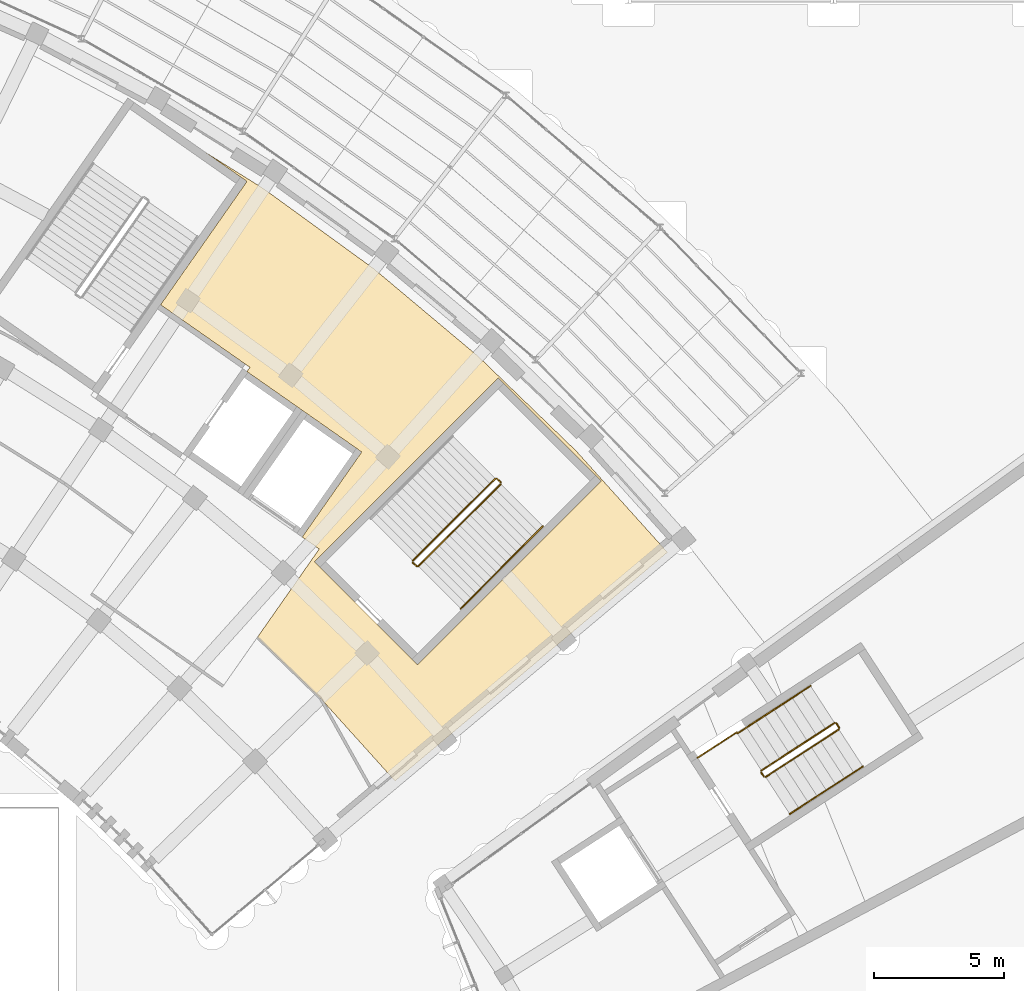
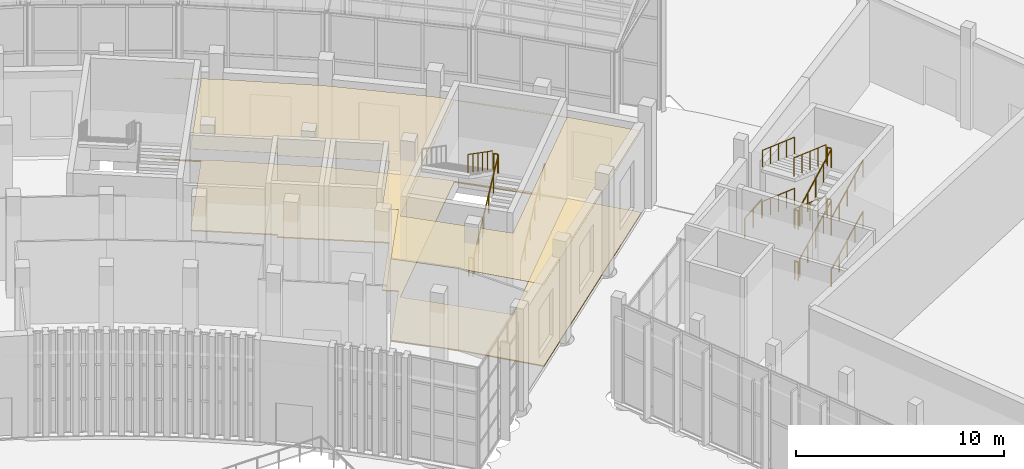
# One storey, part 145 of 155: 18 railings, 2 coverings.
"""IFC4 building model written with IfcOpenShell, lengths in metres."""

from ifc_helpers import new_model, si_unit, direction, frame, origin, origin_2d, place, context, subcontext, project, spatial, polyline, circle, outline, extrude, material, layer, layer_set, type_object, element, save


model = new_model("IFC4")

# Units and contexts
model_context = context("Model", 3, precision=1e-05, world=origin(), true_north=direction((0.0, 1.0)))
body_context = subcontext(model_context, "Body", "Model", "MODEL_VIEW")
ifc_project = project(units=[si_unit("LENGTHUNIT", "METRE"), si_unit("AREAUNIT", "SQUARE_METRE"), si_unit("VOLUMEUNIT", "CUBIC_METRE"), si_unit("PLANEANGLEUNIT", "RADIAN"), si_unit("MASSUNIT", "GRAM", prefix="KILO")], contexts=[model_context])

# Site, building, storey
site_placement = place(None, origin())
site = spatial("IfcSite", under=ifc_project, at=site_placement, CompositionType="ELEMENT")
building_placement = place(site_placement, origin())
building = spatial("IfcBuilding", under=site, at=building_placement, Name="Lunette Opera House", CompositionType="ELEMENT")
storey_placement = place(building_placement, origin())
storey = spatial("IfcBuildingStorey", under=building, at=storey_placement, Name="L00", CompositionType="ELEMENT", Elevation=0.0)

# Railings
ifc_material_1 = material(Name="Steel S355", Category="steel")
railing_type_1 = type_object("IfcRailingType", Name="STAIR GUARD 1100", PredefinedType="GUARDRAIL", material=ifc_material_1)
railing_1_placement = place(storey_placement, frame((157.38818359375, 39.686767578125, 0.166748046875)))
element("IfcRailing", 1, at=railing_1_placement, inside=storey, type_object=railing_type_1, Name="L00 ST21 stair guard 1", PredefinedType="GUARDRAIL", context=body_context, shape_type="SweptSolid", body=[
    extrude(circle(Radius=0.02392578125, at=origin_2d()), frame((0.0, 0.0, 1.076171875), z_axis=(0.779526313845, 0.506266613116, 0.368826303925), x_axis=(-0.544666507989, 0.838652726148, 0.0)), (0.0, 0.0, 1.0), 3.61474609375),
    extrude(circle(Radius=0.02099609375, at=origin_2d()), origin(), (0.0, 0.0, 1.0), 1.052001953125),
    extrude(circle(Radius=0.02099609375, at=origin_2d()), frame((0.70458984375, 0.45751953125, 0.333251953125)), (0.0, 0.0, 1.0), 1.052001953125),
    extrude(circle(Radius=0.02099609375, at=origin_2d()), frame((1.408935546875, 0.9150390625, 0.66650390625)), (0.0, 0.0, 1.0), 1.052001953125),
    extrude(circle(Radius=0.02099609375, at=origin_2d()), frame((2.11328125, 1.37255859375, 1.0)), (0.0, 0.0, 1.0), 1.052001953125),
    extrude(circle(Radius=0.02099609375, at=origin_2d()), frame((2.81787109375, 1.830078125, 1.333251953125)), (0.0, 0.0, 1.0), 1.052001953125),
])
railing_2_placement = place(storey_placement, frame((160.220703125, 41.5859375, 1.5)))
element("IfcRailing", 2, at=railing_2_placement, inside=storey, type_object=railing_type_1, Name="L00 ST21 stair guard 2", PredefinedType="GUARDRAIL", context=body_context, shape_type="SweptSolid", body=[
    extrude(circle(Radius=0.02392578125, at=origin_2d()), frame((0.0, 0.0, 1.076171875), z_axis=(-0.544260590101, 0.838916211587, 0.0), x_axis=(-0.838916211587, -0.544260590101, 0.0)), (0.0, 0.0, 1.0), 0.200439453125),
    extrude(circle(Radius=0.02099609375, at=origin_2d()), origin(), (0.0, 0.0, 1.0), 1.052001953125),
    extrude(circle(Radius=0.02099609375, at=origin_2d()), frame((-0.109130859375, 0.168212890625, 0.0)), (0.0, 0.0, 1.0), 1.052001953125),
])
railing_3_placement = place(storey_placement, frame((160.04248046875, 41.768798828125, 1.666748046875)))
element("IfcRailing", 3, at=railing_3_placement, inside=storey, type_object=railing_type_1, Name="L00 ST21 stair guard 3", PredefinedType="GUARDRAIL", context=body_context, shape_type="SweptSolid", body=[
    extrude(circle(Radius=0.02392578125, at=origin_2d()), frame((0.0, 0.0, 1.076171875), z_axis=(-0.779526313845, -0.506266613116, 0.368826303925), x_axis=(0.544666507989, -0.838652726148, 0.0)), (0.0, 0.0, 1.0), 3.61474609375),
    extrude(circle(Radius=0.02099609375, at=origin_2d()), origin(), (0.0, 0.0, 1.0), 1.052001953125),
    extrude(circle(Radius=0.02099609375, at=origin_2d()), frame((-0.70458984375, -0.45751953125, 0.333251953125)), (0.0, 0.0, 1.0), 1.052001953125),
    extrude(circle(Radius=0.02099609375, at=origin_2d()), frame((-1.408935546875, -0.9150390625, 0.66650390625)), (0.0, 0.0, 1.0), 1.052001953125),
    extrude(circle(Radius=0.02099609375, at=origin_2d()), frame((-2.11328125, -1.37255859375, 1.0)), (0.0, 0.0, 1.0), 1.052001953125),
    extrude(circle(Radius=0.02099609375, at=origin_2d()), frame((-2.81787109375, -1.830078125, 1.333251953125)), (0.0, 0.0, 1.0), 1.052001953125),
])
railing_4_placement = place(storey_placement, frame((157.319091796875, 39.701416015625, 3.0)))
element("IfcRailing", 4, at=railing_4_placement, inside=storey, type_object=railing_type_1, Name="L00 ST21 stair guard 4", PredefinedType="GUARDRAIL", context=body_context, shape_type="SweptSolid", body=[
    extrude(circle(Radius=0.02392578125, at=origin_2d()), frame((0.0, 0.0, 1.076171875), z_axis=(-0.544816974725, 0.838554985706, 0.0), x_axis=(-0.838554985706, -0.544816974725, 0.0)), (0.0, 0.0, 1.0), 0.2001953125),
    extrude(circle(Radius=0.02099609375, at=origin_2d()), origin(), (0.0, 0.0, 1.0), 1.052001953125),
    extrude(circle(Radius=0.02099609375, at=origin_2d()), frame((-0.109130859375, 0.16796875, 0.0)), (0.0, 0.0, 1.0), 1.052001953125),
])
railing_5_placement = place(storey_placement, frame((157.38818359375, 39.686767578125, 3.166748046875)))
element("IfcRailing", 5, at=railing_5_placement, inside=storey, type_object=railing_type_1, Name="L00 ST21 stair guard 5", PredefinedType="GUARDRAIL", context=body_context, shape_type="SweptSolid", body=[
    extrude(circle(Radius=0.02392578125, at=origin_2d()), frame((0.0, 0.0, 1.076171875), z_axis=(0.779526313845, 0.506266613116, 0.368826303925), x_axis=(-0.544666507989, 0.838652726148, 0.0)), (0.0, 0.0, 1.0), 3.61474609375),
    extrude(circle(Radius=0.02099609375, at=origin_2d()), origin(), (0.0, 0.0, 1.0), 1.052001953125),
    extrude(circle(Radius=0.02099609375, at=origin_2d()), frame((0.70458984375, 0.45751953125, 0.333251953125)), (0.0, 0.0, 1.0), 1.052001953125),
    extrude(circle(Radius=0.02099609375, at=origin_2d()), frame((1.408935546875, 0.9150390625, 0.66650390625)), (0.0, 0.0, 1.0), 1.052001953125),
    extrude(circle(Radius=0.02099609375, at=origin_2d()), frame((2.11328125, 1.37255859375, 1.0)), (0.0, 0.0, 1.0), 1.052001953125),
    extrude(circle(Radius=0.02099609375, at=origin_2d()), frame((2.81787109375, 1.830078125, 1.333251953125)), (0.0, 0.0, 1.0), 1.052001953125),
])
railing_6_placement = place(storey_placement, frame((160.220703125, 41.5859375, 4.5)))
element("IfcRailing", 6, at=railing_6_placement, inside=storey, type_object=railing_type_1, Name="L00 ST21 stair guard 6", PredefinedType="GUARDRAIL", context=body_context, shape_type="SweptSolid", body=[
    extrude(circle(Radius=0.02392578125, at=origin_2d()), frame((0.0, 0.0, 1.076171875), z_axis=(-0.544260590101, 0.838916211587, 0.0), x_axis=(-0.838916211587, -0.544260590101, 0.0)), (0.0, 0.0, 1.0), 0.200439453125),
    extrude(circle(Radius=0.02099609375, at=origin_2d()), origin(), (0.0, 0.0, 1.0), 1.052001953125),
    extrude(circle(Radius=0.02099609375, at=origin_2d()), frame((-0.109130859375, 0.168212890625, 0.0)), (0.0, 0.0, 1.0), 1.052001953125),
])
railing_7_placement = place(storey_placement, frame((160.04248046875, 41.768798828125, 4.666748046875)))
element("IfcRailing", 7, at=railing_7_placement, inside=storey, type_object=railing_type_1, Name="L00 ST21 stair guard 7", PredefinedType="GUARDRAIL", context=body_context, shape_type="SweptSolid", body=[
    extrude(circle(Radius=0.02392578125, at=origin_2d()), frame((0.0, 0.0, 1.076171875), z_axis=(-0.779526313845, -0.506266613116, 0.368826303925), x_axis=(0.544666507989, -0.838652726148, 0.0)), (0.0, 0.0, 1.0), 3.61474609375),
    extrude(circle(Radius=0.02099609375, at=origin_2d()), origin(), (0.0, 0.0, 1.0), 1.052001953125),
    extrude(circle(Radius=0.02099609375, at=origin_2d()), frame((-0.70458984375, -0.45751953125, 0.333251953125)), (0.0, 0.0, 1.0), 1.052001953125),
    extrude(circle(Radius=0.02099609375, at=origin_2d()), frame((-1.408935546875, -0.9150390625, 0.66650390625)), (0.0, 0.0, 1.0), 1.052001953125),
    extrude(circle(Radius=0.02099609375, at=origin_2d()), frame((-2.11328125, -1.37255859375, 1.0)), (0.0, 0.0, 1.0), 1.052001953125),
    extrude(circle(Radius=0.02099609375, at=origin_2d()), frame((-2.81787109375, -1.830078125, 1.333251953125)), (0.0, 0.0, 1.0), 1.052001953125),
])
railing_8_placement = place(storey_placement, frame((157.319091796875, 39.701416015625, 0.0)))
element("IfcRailing", 8, at=railing_8_placement, inside=storey, type_object=railing_type_1, Name="L00 ST21 stair guard 8", PredefinedType="GUARDRAIL", context=body_context, shape_type="SweptSolid", body=[
    extrude(circle(Radius=0.02392578125, at=origin_2d()), frame((0.0, 0.0, 1.076171875), z_axis=(-0.544816974725, 0.838554985706, 0.0), x_axis=(-0.838554985706, -0.544816974725, 0.0)), (0.0, 0.0, 1.0), 0.2001953125),
    extrude(circle(Radius=0.02099609375, at=origin_2d()), origin(), (0.0, 0.0, 1.0), 1.052001953125),
    extrude(circle(Radius=0.02099609375, at=origin_2d()), frame((-0.109130859375, 0.16796875, 0.0)), (0.0, 0.0, 1.0), 1.052001953125),
])
railing_9_placement = place(storey_placement, frame((144.012451171875, 47.800048828125, 0.176513671875)))
element("IfcRailing", 9, at=railing_9_placement, inside=storey, type_object=railing_type_1, Name="L00 ST4 stair guard 1", PredefinedType="GUARDRAIL", context=body_context, shape_type="SweptSolid", body=[
    extrude(circle(Radius=0.02392578125, at=origin_2d()), frame((0.0, 0.0, 1.076171875), z_axis=(0.598205512604, 0.598205512604, 0.533198208344), x_axis=(-0.707106781187, 0.707106781187, 0.0)), (0.0, 0.0, 1.0), 5.29541015625),
    extrude(circle(Radius=0.02099609375, at=origin_2d()), origin(), (0.0, 0.0, 1.0), 1.052001953125),
    extrude(circle(Radius=0.02099609375, at=origin_2d()), frame((0.633544921875, 0.633544921875, 0.564697265625)), (0.0, 0.0, 1.0), 1.052001953125),
    extrude(circle(Radius=0.02099609375, at=origin_2d()), frame((1.26708984375, 1.26708984375, 1.12939453125)), (0.0, 0.0, 1.0), 1.052001953125),
    extrude(circle(Radius=0.02099609375, at=origin_2d()), frame((1.900634765625, 1.900634765625, 1.694091796875)), (0.0, 0.0, 1.0), 1.052001953125),
    extrude(circle(Radius=0.02099609375, at=origin_2d()), frame((2.5341796875, 2.5341796875, 2.2587890625)), (0.0, 0.0, 1.0), 1.052001953125),
    extrude(circle(Radius=0.02099609375, at=origin_2d()), frame((3.167724609375, 3.167724609375, 2.823486328125)), (0.0, 0.0, 1.0), 1.052001953125),
])
railing_10_placement = place(storey_placement, frame((147.18017578125, 51.03857421875, 3.0)))
element("IfcRailing", 10, at=railing_10_placement, inside=storey, type_object=railing_type_1, Name="L00 ST4 stair guard 2", PredefinedType="GUARDRAIL", context=body_context, shape_type="SweptSolid", body=[
    extrude(circle(Radius=0.02392578125, at=origin_2d()), frame((0.0, 0.0, 1.076171875), z_axis=(-0.707106781187, 0.707106781187, 0.0), x_axis=(-0.707106781187, -0.707106781187, 0.0)), (0.0, 0.0, 1.0), 0.2001953125),
    extrude(circle(Radius=0.02099609375, at=origin_2d()), origin(), (0.0, 0.0, 1.0), 1.052001953125),
    extrude(circle(Radius=0.02099609375, at=origin_2d()), frame((-0.1416015625, 0.1416015625, 0.0)), (0.0, 0.0, 1.0), 1.052001953125),
])
railing_11_placement = place(storey_placement, frame((146.9677734375, 51.18017578125, 3.176513671875)))
element("IfcRailing", 11, at=railing_11_placement, inside=storey, type_object=railing_type_1, Name="L00 ST4 stair guard 3", PredefinedType="GUARDRAIL", context=body_context, shape_type="SweptSolid", body=[
    extrude(circle(Radius=0.02392578125, at=origin_2d()), frame((0.0, 0.0, 1.076171875), z_axis=(-0.598205512604, -0.598205512604, 0.533198208344), x_axis=(0.707106781187, -0.707106781187, 0.0)), (0.0, 0.0, 1.0), 5.29541015625),
    extrude(circle(Radius=0.02099609375, at=origin_2d()), origin(), (0.0, 0.0, 1.0), 1.052001953125),
    extrude(circle(Radius=0.02099609375, at=origin_2d()), frame((-0.633544921875, -0.633544921875, 0.564697265625)), (0.0, 0.0, 1.0), 1.052001953125),
    extrude(circle(Radius=0.02099609375, at=origin_2d()), frame((-1.26708984375, -1.26708984375, 1.12939453125)), (0.0, 0.0, 1.0), 1.052001953125),
    extrude(circle(Radius=0.02099609375, at=origin_2d()), frame((-1.900634765625, -1.900634765625, 1.694091796875)), (0.0, 0.0, 1.0), 1.052001953125),
    extrude(circle(Radius=0.02099609375, at=origin_2d()), frame((-2.5341796875, -2.5341796875, 2.2587890625)), (0.0, 0.0, 1.0), 1.052001953125),
    extrude(circle(Radius=0.02099609375, at=origin_2d()), frame((-3.167724609375, -3.167724609375, 2.823486328125)), (0.0, 0.0, 1.0), 1.052001953125),
])
railing_12_placement = place(storey_placement, frame((143.941650390625, 47.800048828125, 0.0)))
element("IfcRailing", 12, at=railing_12_placement, inside=storey, type_object=railing_type_1, Name="L00 ST4 stair guard 4", PredefinedType="GUARDRAIL", context=body_context, shape_type="SweptSolid", body=[
    extrude(circle(Radius=0.02392578125, at=origin_2d()), frame((0.0, 0.0, 1.076171875), z_axis=(-0.707106781187, 0.707106781187, 0.0), x_axis=(-0.707106781187, -0.707106781187, 0.0)), (0.0, 0.0, 1.0), 0.2001953125),
    extrude(circle(Radius=0.02099609375, at=origin_2d()), origin(), (0.0, 0.0, 1.0), 1.052001953125),
    extrude(circle(Radius=0.02099609375, at=origin_2d()), frame((-0.1416015625, 0.1416015625, 0.0)), (0.0, 0.0, 1.0), 1.052001953125),
])
railing_13_placement = place(storey_placement, frame((154.761962890625, 40.426025390625, 3.0)))
element("IfcRailing", 13, at=railing_13_placement, inside=storey, type_object=railing_type_1, Name="ST21 stair guard at exit 1", PredefinedType="GUARDRAIL", context=body_context, shape_type="SweptSolid", body=[
    extrude(circle(Radius=0.02392578125, at=origin_2d()), frame((0.0, 0.0, 1.076171875), z_axis=(0.838609969876, 0.544732336496, 0.0), x_axis=(-0.544732336496, 0.838609969876, 0.0)), (0.0, 0.0, 1.0), 1.810302734375),
    extrude(circle(Radius=0.02099609375, at=origin_2d()), origin(), (0.0, 0.0, 1.0), 1.052001953125),
    extrude(circle(Radius=0.02099609375, at=origin_2d()), frame((0.759033203125, 0.4931640625, 0.0)), (0.0, 0.0, 1.0), 1.052001953125),
    extrude(circle(Radius=0.02099609375, at=origin_2d()), frame((1.51806640625, 0.986083984375, 0.0)), (0.0, 0.0, 1.0), 1.052001953125),
])
ifc_material_2 = material(Name="Steel S355", Category="steel")
railing_type_2 = type_object("IfcRailingType", Name="STAIR HANDRAIL 1000", PredefinedType="HANDRAIL", material=ifc_material_2)
railing_14_placement = place(storey_placement, frame((158.314208984375, 38.260986328125, 0.166748046875)))
element("IfcRailing", 14, at=railing_14_placement, inside=storey, type_object=railing_type_2, Name="L00 ST21 stair handrail 1", PredefinedType="HANDRAIL", context=body_context, shape_type="SweptSolid", body=[
    extrude(circle(Radius=0.02392578125, at=origin_2d()), frame((0.0, 0.0, 0.97607421875), z_axis=(0.779526313845, 0.506266613116, 0.368826303925), x_axis=(-0.544666507989, 0.838652726148, 0.0)), (0.0, 0.0, 1.0), 3.61474609375),
    extrude(circle(Radius=0.02099609375, at=origin_2d()), origin(), (0.0, 0.0, 1.0), 0.951904296875),
    extrude(circle(Radius=0.02099609375, at=origin_2d()), frame((0.70458984375, 0.45751953125, 0.333251953125)), (0.0, 0.0, 1.0), 0.951904296875),
    extrude(circle(Radius=0.02099609375, at=origin_2d()), frame((1.408935546875, 0.9150390625, 0.66650390625)), (0.0, 0.0, 1.0), 0.951904296875),
    extrude(circle(Radius=0.02099609375, at=origin_2d()), frame((2.11328125, 1.37255859375, 1.0)), (0.0, 0.0, 1.0), 0.951904296875),
    extrude(circle(Radius=0.02099609375, at=origin_2d()), frame((2.81787109375, 1.830078125, 1.333251953125)), (0.0, 0.0, 1.0), 0.951904296875),
])
railing_15_placement = place(storey_placement, frame((159.116455078125, 43.194580078125, 1.666748046875)))
element("IfcRailing", 15, at=railing_15_placement, inside=storey, type_object=railing_type_2, Name="L00 ST21 stair handrail 2", PredefinedType="HANDRAIL", context=body_context, shape_type="SweptSolid", body=[
    extrude(circle(Radius=0.02392578125, at=origin_2d()), frame((0.0, 0.0, 0.97607421875), z_axis=(-0.779499659595, -0.506316838328, 0.368813692692), x_axis=(0.544717610193, -0.838619535394, 0.0)), (0.0, 0.0, 1.0), 3.614990234375),
    extrude(circle(Radius=0.02099609375, at=origin_2d()), origin(), (0.0, 0.0, 1.0), 0.951904296875),
    extrude(circle(Radius=0.02099609375, at=origin_2d()), frame((-0.70458984375, -0.45751953125, 0.333251953125)), (0.0, 0.0, 1.0), 0.951904296875),
    extrude(circle(Radius=0.02099609375, at=origin_2d()), frame((-1.408935546875, -0.9150390625, 0.66650390625)), (0.0, 0.0, 1.0), 0.951904296875),
    extrude(circle(Radius=0.02099609375, at=origin_2d()), frame((-2.11328125, -1.372802734375, 1.0)), (0.0, 0.0, 1.0), 0.951904296875),
    extrude(circle(Radius=0.02099609375, at=origin_2d()), frame((-2.81787109375, -1.830322265625, 1.333251953125)), (0.0, 0.0, 1.0), 0.951904296875),
])
railing_16_placement = place(storey_placement, frame((158.314208984375, 38.260986328125, 3.166748046875)))
element("IfcRailing", 16, at=railing_16_placement, inside=storey, type_object=railing_type_2, Name="L00 ST21 stair handrail 3", PredefinedType="HANDRAIL", context=body_context, shape_type="SweptSolid", body=[
    extrude(circle(Radius=0.02392578125, at=origin_2d()), frame((0.0, 0.0, 0.97607421875), z_axis=(0.779526313845, 0.506266613116, 0.368826303925), x_axis=(-0.544666507989, 0.838652726148, 0.0)), (0.0, 0.0, 1.0), 3.61474609375),
    extrude(circle(Radius=0.02099609375, at=origin_2d()), origin(), (0.0, 0.0, 1.0), 0.951904296875),
    extrude(circle(Radius=0.02099609375, at=origin_2d()), frame((0.70458984375, 0.45751953125, 0.333251953125)), (0.0, 0.0, 1.0), 0.951904296875),
    extrude(circle(Radius=0.02099609375, at=origin_2d()), frame((1.408935546875, 0.9150390625, 0.66650390625)), (0.0, 0.0, 1.0), 0.951904296875),
    extrude(circle(Radius=0.02099609375, at=origin_2d()), frame((2.11328125, 1.37255859375, 1.0)), (0.0, 0.0, 1.0), 0.951904296875),
    extrude(circle(Radius=0.02099609375, at=origin_2d()), frame((2.81787109375, 1.830078125, 1.333251953125)), (0.0, 0.0, 1.0), 0.951904296875),
])
railing_17_placement = place(storey_placement, frame((159.116455078125, 43.194580078125, 4.666748046875)))
element("IfcRailing", 17, at=railing_17_placement, inside=storey, type_object=railing_type_2, Name="L00 ST21 stair handrail 4", PredefinedType="HANDRAIL", context=body_context, shape_type="SweptSolid", body=[
    extrude(circle(Radius=0.02392578125, at=origin_2d()), frame((0.0, 0.0, 0.97607421875), z_axis=(-0.779499659595, -0.506316838328, 0.368813692692), x_axis=(0.544717610193, -0.838619535394, 0.0)), (0.0, 0.0, 1.0), 3.614990234375),
    extrude(circle(Radius=0.02099609375, at=origin_2d()), origin(), (0.0, 0.0, 1.0), 0.951904296875),
    extrude(circle(Radius=0.02099609375, at=origin_2d()), frame((-0.70458984375, -0.45751953125, 0.333251953125)), (0.0, 0.0, 1.0), 0.951904296875),
    extrude(circle(Radius=0.02099609375, at=origin_2d()), frame((-1.408935546875, -0.9150390625, 0.66650390625)), (0.0, 0.0, 1.0), 0.951904296875),
    extrude(circle(Radius=0.02099609375, at=origin_2d()), frame((-2.11328125, -1.372802734375, 1.0)), (0.0, 0.0, 1.0), 0.951904296875),
    extrude(circle(Radius=0.02099609375, at=origin_2d()), frame((-2.81787109375, -1.830322265625, 1.333251953125)), (0.0, 0.0, 1.0), 0.951904296875),
])
railing_18_placement = place(storey_placement, frame((145.638671875, 46.173583984375, 0.176513671875)))
element("IfcRailing", 18, at=railing_18_placement, inside=storey, type_object=railing_type_2, Name="L00 ST4 stair handrail 1", PredefinedType="HANDRAIL", context=body_context, shape_type="SweptSolid", body=[
    extrude(circle(Radius=0.02392578125, at=origin_2d()), frame((0.0, 0.0, 0.97607421875), z_axis=(0.598218619036, 0.598218619036, 0.533168798485), x_axis=(-0.707106781187, 0.707106781187, 0.0)), (0.0, 0.0, 1.0), 5.295654296875),
    extrude(circle(Radius=0.02099609375, at=origin_2d()), origin(), (0.0, 0.0, 1.0), 0.951904296875),
    extrude(circle(Radius=0.02099609375, at=origin_2d()), frame((0.633544921875, 0.633544921875, 0.564697265625)), (0.0, 0.0, 1.0), 0.951904296875),
    extrude(circle(Radius=0.02099609375, at=origin_2d()), frame((1.26708984375, 1.26708984375, 1.12939453125)), (0.0, 0.0, 1.0), 0.951904296875),
    extrude(circle(Radius=0.02099609375, at=origin_2d()), frame((1.90087890625, 1.90087890625, 1.694091796875)), (0.0, 0.0, 1.0), 0.951904296875),
    extrude(circle(Radius=0.02099609375, at=origin_2d()), frame((2.534423828125, 2.534423828125, 2.2587890625)), (0.0, 0.0, 1.0), 0.951904296875),
    extrude(circle(Radius=0.02099609375, at=origin_2d()), frame((3.16796875, 3.16796875, 2.823486328125)), (0.0, 0.0, 1.0), 0.951904296875),
])

# Coverings
ifc_material_3 = material(Name="Mineral fibre board")
ifc_layer_1 = layer(ifc_material_3, 0.014892578125)
ifc_layer_set_1 = layer_set([ifc_layer_1], Name="Mineral fibre board")
covering_type_1 = type_object("IfcCoveringType", Name="SUSPENDED ACOUSTIC CEILING 15", PredefinedType="CEILING", material=ifc_layer_set_1)
covering_1_placement = place(storey_placement, frame((0.0, 0.0, 4.81494140625)))
element("IfcCovering", 19, at=covering_1_placement, inside=storey, type_object=covering_type_1, Name="Ceiling Main Foyer Rear", PredefinedType="CEILING", context=body_context, shape_type="SweptSolid", body=[
    extrude(outline(polyline([(141.8310546875, 52.202880859375), (139.537109375, 53.80908203125), (137.407958984375, 55.300048828125), (137.52294921875, 55.464111328125), (134.08203125, 57.8740234375), (137.408935546875, 62.625), (135.81396484375, 63.741943359375), (138.051025390625, 62.343994140625), (142.298095703125, 59.258056640625), (146.319091796875, 55.884033203125), (150.093994140625, 52.238037109375), (153.60595703125, 48.337890625), (145.027099609375, 41.137939453125), (143.112060546875, 39.531005859375), (140.239013671875, 42.720947265625), (137.81103515625, 45.06689453125), (140.19189453125, 48.468017578125), (139.537109375, 48.927001953125), (141.8310546875, 52.202880859375)]), holes=[polyline([(140.01708984375, 47.97705078125), (143.97705078125, 44.01708984375), (151.048095703125, 51.087890625), (147.087890625, 55.048095703125), (140.01708984375, 47.97705078125)])]), origin(), (0.0, 0.0, 1.0), 0.01513671875),
])
ifc_material_4 = material(Name="Terrazzo")
ifc_layer_2 = layer(ifc_material_4, 0.06005859375)
ifc_layer_set_2 = layer_set([ifc_layer_2], Name="Terrazzo")
covering_type_2 = type_object("IfcCoveringType", Name="TERRAZZO FLOOR FINISH 60", PredefinedType="FLOORING", material=ifc_layer_set_2)
covering_2_placement = place(storey_placement, origin())
element("IfcCovering", 20, at=covering_2_placement, inside=storey, type_object=covering_type_2, Name="Floor finish Main Foyer Rear", PredefinedType="FLOORING", context=body_context, shape_type="SweptSolid", body=[
    extrude(outline(polyline([(141.8310546875, 52.202880859375), (139.537109375, 53.80908203125), (137.407958984375, 55.300048828125), (137.52294921875, 55.464111328125), (134.08203125, 57.8740234375), (137.408935546875, 62.625), (135.81396484375, 63.741943359375), (138.051025390625, 62.343994140625), (142.298095703125, 59.258056640625), (146.319091796875, 55.884033203125), (150.093994140625, 52.238037109375), (153.60595703125, 48.337890625), (145.027099609375, 41.137939453125), (143.112060546875, 39.531005859375), (140.239013671875, 42.720947265625), (137.81103515625, 45.06689453125), (140.19189453125, 48.468017578125), (139.537109375, 48.927001953125), (141.8310546875, 52.202880859375)]), holes=[polyline([(140.01708984375, 47.97705078125), (143.97705078125, 44.01708984375), (151.048095703125, 51.087890625), (147.087890625, 55.048095703125), (140.01708984375, 47.97705078125)])]), origin(), (0.0, 0.0, 1.0), 0.06005859375),
])

save(model, "model.ifc")
